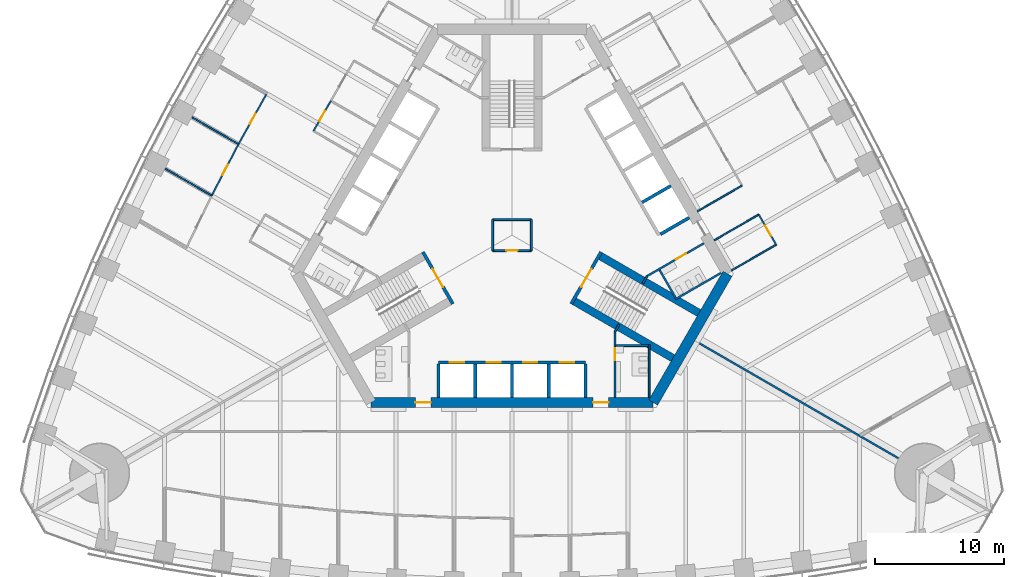
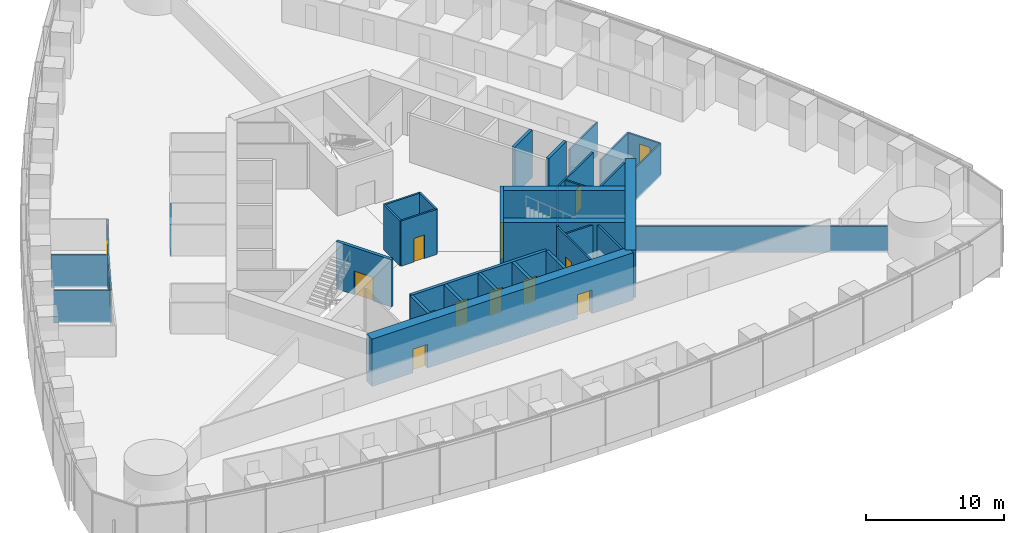
# One storey, part 11 of 18: 36 walls, 15 doors, 15 openings.
"""IFC4 building model written with IfcOpenShell, lengths in metres."""

from ifc_helpers import new_model, si_unit, direction, frame, frame_2d, origin, place, context, subcontext, project, spatial, rectangle, extrude, material, layer, layer_set, type_object, element, fill, save


model = new_model("IFC4")

# Units and contexts
model_context = context("Model", 3, precision=1e-05, world=origin(), true_north=direction((0.0, 1.0)))
body_context = subcontext(model_context, "Body", "Model", "MODEL_VIEW")
ifc_project = project(units=[si_unit("LENGTHUNIT", "METRE"), si_unit("AREAUNIT", "SQUARE_METRE"), si_unit("VOLUMEUNIT", "CUBIC_METRE"), si_unit("PLANEANGLEUNIT", "RADIAN"), si_unit("MASSUNIT", "GRAM", prefix="KILO")], contexts=[model_context])

# Site, building, storey
site_placement = place(None, origin())
site = spatial("IfcSite", under=ifc_project, at=site_placement, CompositionType="ELEMENT")
building_placement = place(site_placement, origin())
building = spatial("IfcBuilding", under=site, at=building_placement, Name="Trefoil Bronze Tower", CompositionType="ELEMENT")
storey_placement = place(building_placement, frame((0.0, 0.0, 33.300048828125)))
storey = spatial("IfcBuildingStorey", under=building, at=storey_placement, Name="L07", CompositionType="ELEMENT", Elevation=33.300048828125)

# Wall, openings, doors
ifc_material_1 = material(Name="Concrete B80", Category="concrete")
ifc_layer_1 = layer(ifc_material_1, 0.800048828125)
ifc_layer_set_1 = layer_set([ifc_layer_1], Name="Core wall 800")
wall_type_1 = type_object("IfcWallType", Name="Core wall 800", PredefinedType="SHEAR", material=ifc_layer_set_1)
wall_1_placement = place(storey_placement, frame((-10.9697265625, -13.0, 0.0), z_axis=(0.0, 0.0, 1.0), x_axis=(1.0, 0.0, 0.0)))
wall_1 = element("IfcWall", 1, at=wall_1_placement, inside=storey, type_object=wall_type_1, Name="Core long wall 1 L07", PredefinedType="SHEAR", context=body_context, shape_type="SweptSolid", body=[
    extrude(rectangle(XDim=21.939453125, YDim=0.800048828125, at=frame_2d((10.9697265625, 0.0))), origin(), (0.0, 0.0, 1.0), 4.199951171875),
])
opening_1_placement = place(wall_1_placement, frame((17.269775390625, 0.0, 0.0)))
opening_1 = element("IfcOpeningElement", 2, at=opening_1_placement, cuts=wall_1, Name="Opening D2", PredefinedType="OPENING", context=body_context, shape_type="SweptSolid", body=[
    extrude(rectangle(XDim=1.199951171875, YDim=2.10009765625, at=frame_2d((0.60009765625, 1.050048828125))), frame((0.0, 0.409912109375, 0.0), z_axis=(0.0, -1.0, 0.0), x_axis=(1.0, 0.0, 0.0)), (0.0, 0.0, 1.0), 0.820068359375),
])
opening_2_placement = place(wall_1_placement, frame((3.4697265625, 0.0, 0.0)))
opening_2 = element("IfcOpeningElement", 3, at=opening_2_placement, cuts=wall_1, Name="Opening D2", PredefinedType="OPENING", context=body_context, shape_type="SweptSolid", body=[
    extrude(rectangle(XDim=1.199951171875, YDim=2.10009765625, at=frame_2d((0.60009765625, 1.050048828125))), frame((0.0, 0.409912109375, 0.0), z_axis=(0.0, -1.0, 0.0), x_axis=(1.0, 0.0, 0.0)), (0.0, 0.0, 1.0), 0.820068359375),
])
ifc_material_2 = material(Name="Steel door", Category="steel")
door_type_1 = type_object("IfcDoorType", Name="Lobby door 1200", OperationType="SINGLE_SWING_RIGHT", PredefinedType="DOOR", material=ifc_material_2)
door_1_placement = place(opening_1_placement, origin())
door_1 = element("IfcDoor", 4, at=door_1_placement, inside=storey, type_object=door_type_1, Name="Lobby door F1+ L07", OperationType="SINGLE_SWING_RIGHT", OverallHeight=2.10009765625, OverallWidth=1.199951171875, PredefinedType="DOOR", context=body_context, shape_type="SweptSolid", body=[
    extrude(rectangle(XDim=1.199951171875, YDim=2.10009765625, at=frame_2d((0.60009765625, 1.050048828125))), frame((0.0, 0.02490234375, 0.0), z_axis=(0.0, -1.0, 0.0), x_axis=(1.0, 0.0, 0.0)), (0.0, 0.0, 1.0), 0.050048828125),
])
fill(opening_1, door_1)
door_2_placement = place(opening_2_placement, origin())
door_2 = element("IfcDoor", 5, at=door_2_placement, inside=storey, type_object=door_type_1, Name="Lobby door F1- L07", OperationType="SINGLE_SWING_LEFT", OverallHeight=2.10009765625, OverallWidth=1.199951171875, PredefinedType="DOOR", context=body_context, shape_type="SweptSolid", body=[
    extrude(rectangle(XDim=1.199951171875, YDim=2.10009765625, at=frame_2d((0.60009765625, 1.050048828125))), frame((0.0, 0.02490234375, 0.0), z_axis=(0.0, -1.0, 0.0), x_axis=(1.0, 0.0, 0.0)), (0.0, 0.0, 1.0), 0.050048828125),
])
fill(opening_2, door_2)

# Wall
wall_2_placement = place(storey_placement, frame((10.9697265625, -13.0, 0.0), z_axis=(0.0, 0.0, 1.0), x_axis=(0.499995765644, 0.866027848477, 0.0)))
element("IfcWall", 6, at=wall_2_placement, inside=storey, type_object=wall_type_1, Name="Core short wall 1 L07", PredefinedType="SHEAR", context=body_context, shape_type="SweptSolid", body=[
    extrude(rectangle(XDim=11.546875, YDim=0.800048828125, at=frame_2d((5.7734375, 0.0))), origin(), (0.0, 0.0, 1.0), 4.199951171875),
])

# Wall, opening, door
ifc_material_3 = material(Name="Glazed partition", Category="glass")
ifc_layer_2 = layer(ifc_material_3, 0.1201171875)
ifc_layer_set_2 = layer_set([ifc_layer_2], Name="Glazed partition 120")
wall_type_2 = type_object("IfcWallType", Name="Glazed partition 120", PredefinedType="PARTITIONING", material=ifc_layer_set_2)
wall_3_placement = place(storey_placement, frame((20.518798828125, -0.73974609375, 0.0), z_axis=(0.0, 0.0, 1.0), x_axis=(-0.4999416173, 0.866059108428, 0.0)))
wall_3 = element("IfcWall", 7, at=wall_3_placement, inside=storey, type_object=wall_type_2, Name="Partition F2 L07", PredefinedType="PARTITIONING", context=body_context, shape_type="SweptSolid", body=[
    extrude(rectangle(XDim=2.699951171875, YDim=0.1201171875, at=frame_2d((1.35009765625, 0.0))), origin(), (0.0, 0.0, 1.0), 2.89990234375),
])
opening_3_placement = place(wall_3_placement, frame((0.800048828125, 0.0, 0.14990234375)))
opening_3 = element("IfcOpeningElement", 8, at=opening_3_placement, cuts=wall_3, Name="Opening D8", PredefinedType="OPENING", context=body_context, shape_type="SweptSolid", body=[
    extrude(rectangle(XDim=0.89990234375, YDim=2.10009765625, at=frame_2d((0.449951171875, 1.050048828125))), frame((0.0, 0.070068359375, 0.0), z_axis=(0.0, -1.0, 0.0), x_axis=(1.0, 0.0, 0.0)), (0.0, 0.0, 1.0), 0.14013671875),
])
ifc_material_4 = material(Name="Timber door", Category="wood")
door_type_2 = type_object("IfcDoorType", Name="Office door 900", OperationType="SINGLE_SWING_LEFT", PredefinedType="DOOR", material=ifc_material_4)
door_3_placement = place(opening_3_placement, origin())
door_3 = element("IfcDoor", 9, at=door_3_placement, inside=storey, type_object=door_type_2, Name="Pantry door F2 L07", OperationType="SINGLE_SWING_LEFT", OverallHeight=2.10009765625, OverallWidth=0.89990234375, PredefinedType="DOOR", context=body_context, shape_type="SweptSolid", body=[
    extrude(rectangle(XDim=0.89990234375, YDim=2.10009765625, at=frame_2d((0.449951171875, 1.050048828125))), frame((0.0, 0.02490234375, 0.0), z_axis=(0.0, -1.0, 0.0), x_axis=(1.0, 0.0, 0.0)), (0.0, 0.0, 1.0), 0.050048828125),
])
fill(opening_3, door_3)

# Walls
for number, where, z_axis, x_axis, name in (
    (10, (17.0546875, -2.73974609375, 0.0), (0.0, 0.0, 1.0), (0.866026010844, 0.49999894854, 0.0), "Partition F2 L07"),
    (11, (14.40478515625, 1.850341796875, 0.0), (0.0, 0.0, 1.0), (0.866026010844, 0.49999894854, 0.0), "Partition F2 L07"),
    (12, (15.704833984375, -0.4013671875, 0.0), (0.0, 0.0, 1.0), (0.866026010844, 0.49999894854, 0.0), "Partition F2 L07"),
):
    element("IfcWall", number, at=place(storey_placement, frame(where, z_axis=z_axis, x_axis=x_axis)), inside=storey, type_object=wall_type_2, Name=name, PredefinedType="PARTITIONING", context=body_context, shape_type="SweptSolid", body=[
        extrude(rectangle(XDim=4.0, YDim=0.1201171875, at=frame_2d((2.0, 0.0))), origin(), (0.0, 0.0, 1.0), 2.89990234375),
    ])

# Wall, opening, door
wall_4_placement = place(storey_placement, frame((-14.06884765625, 10.43212890625, 0.0), z_axis=(0.0, 0.0, 1.0), x_axis=(-0.50000943426, -0.866019956843, 0.0)))
wall_4 = element("IfcWall", 13, at=wall_4_placement, inside=storey, type_object=wall_type_2, Name="Partition F3 L07", PredefinedType="PARTITIONING", context=body_context, shape_type="SweptSolid", body=[
    extrude(rectangle(XDim=2.7001953125, YDim=0.1201171875, at=frame_2d((1.35009765625, 0.0))), origin(), (0.0, 0.0, 1.0), 2.89990234375),
])
opening_4_placement = place(wall_4_placement, frame((0.89990234375, 0.0, 0.14990234375)))
opening_4 = element("IfcOpeningElement", 14, at=opening_4_placement, cuts=wall_4, Name="Opening D8", PredefinedType="OPENING", context=body_context, shape_type="SweptSolid", body=[
    extrude(rectangle(XDim=0.89990234375, YDim=2.10009765625, at=frame_2d((0.449951171875, 1.050048828125))), frame((0.0, 0.070068359375, 0.0), z_axis=(0.0, -1.0, 0.0), x_axis=(1.0, 0.0, 0.0)), (0.0, 0.0, 1.0), 0.14013671875),
])
door_4_placement = place(opening_4_placement, origin())
door_4 = element("IfcDoor", 15, at=door_4_placement, inside=storey, type_object=door_type_2, Name="Pantry door F3 L07", OperationType="SINGLE_SWING_LEFT", OverallHeight=2.10009765625, OverallWidth=0.89990234375, PredefinedType="DOOR", context=body_context, shape_type="SweptSolid", body=[
    extrude(rectangle(XDim=0.89990234375, YDim=2.10009765625, at=frame_2d((0.449951171875, 1.050048828125))), frame((0.0, 0.02490234375, 0.0), z_axis=(0.0, -1.0, 0.0), x_axis=(1.0, 0.0, 0.0)), (0.0, 0.0, 1.0), 0.050048828125),
])
fill(opening_4, door_4)

wall_5_placement = place(storey_placement, frame((-19.051513671875, 10.999267578125, 0.0), z_axis=(0.0, 0.0, 1.0), x_axis=(-0.487373854787, -0.873193406795, 0.0)))
wall_5 = element("IfcWall", 16, at=wall_5_placement, inside=storey, type_object=wall_type_2, Name="Partition F3 L07", PredefinedType="PARTITIONING", context=body_context, shape_type="SweptSolid", body=[
    extrude(rectangle(XDim=4.500244140625, YDim=0.1201171875, at=frame_2d((2.25, 0.0))), origin(), (0.0, 0.0, 1.0), 2.89990234375),
])
opening_5_placement = place(wall_5_placement, frame((1.800048828125, 0.0, 0.14990234375)))
opening_5 = element("IfcOpeningElement", 17, at=opening_5_placement, cuts=wall_5, Name="Opening D8", PredefinedType="OPENING", context=body_context, shape_type="SweptSolid", body=[
    extrude(rectangle(XDim=0.89990234375, YDim=2.10009765625, at=frame_2d((0.449951171875, 1.050048828125))), frame((0.0, 0.070068359375, 0.0), z_axis=(0.0, -1.0, 0.0), x_axis=(1.0, 0.0, 0.0)), (0.0, 0.0, 1.0), 0.14013671875),
])
door_5_placement = place(opening_5_placement, frame((0.89990234375, 0.0, 0.0), z_axis=(0.0, 0.0, 1.0), x_axis=(-1.0, 0.0, 0.0)))
door_5 = element("IfcDoor", 18, at=door_5_placement, inside=storey, type_object=door_type_2, Name="Office door F3 L07", OperationType="SINGLE_SWING_RIGHT", OverallHeight=2.10009765625, OverallWidth=0.89990234375, PredefinedType="DOOR", context=body_context, shape_type="SweptSolid", body=[
    extrude(rectangle(XDim=0.89990234375, YDim=2.10009765625, at=frame_2d((0.449951171875, 1.050048828125))), frame((0.0, 0.02490234375, 0.0), z_axis=(0.0, -1.0, 0.0), x_axis=(1.0, 0.0, 0.0)), (0.0, 0.0, 1.0), 0.050048828125),
])
fill(opening_5, door_5)

wall_6_placement = place(storey_placement, frame((-21.244873046875, 7.069580078125, 0.0), z_axis=(0.0, 0.0, 1.0), x_axis=(-0.461852697957, -0.886956642339, 0.0)))
wall_6 = element("IfcWall", 19, at=wall_6_placement, inside=storey, type_object=wall_type_2, Name="Partition F3 L07", PredefinedType="PARTITIONING", context=body_context, shape_type="SweptSolid", body=[
    extrude(rectangle(XDim=4.50439453125, YDim=0.1201171875, at=frame_2d((2.252197265625, 0.0))), origin(), (0.0, 0.0, 1.0), 2.89990234375),
])
opening_6_placement = place(wall_6_placement, frame((1.800048828125, 0.0, 0.14990234375)))
opening_6 = element("IfcOpeningElement", 20, at=opening_6_placement, cuts=wall_6, Name="Opening D8", PredefinedType="OPENING", context=body_context, shape_type="SweptSolid", body=[
    extrude(rectangle(XDim=0.89990234375, YDim=2.10009765625, at=frame_2d((0.449951171875, 1.050048828125))), frame((0.0, 0.070068359375, 0.0), z_axis=(0.0, -1.0, 0.0), x_axis=(1.0, 0.0, 0.0)), (0.0, 0.0, 1.0), 0.14013671875),
])
door_6_placement = place(opening_6_placement, frame((0.89990234375, 0.0, 0.0), z_axis=(0.0, 0.0, 1.0), x_axis=(-1.0, 0.0, 0.0)))
door_6 = element("IfcDoor", 21, at=door_6_placement, inside=storey, type_object=door_type_2, Name="Office door F3 L07", OperationType="SINGLE_SWING_RIGHT", OverallHeight=2.10009765625, OverallWidth=0.89990234375, PredefinedType="DOOR", context=body_context, shape_type="SweptSolid", body=[
    extrude(rectangle(XDim=0.89990234375, YDim=2.10009765625, at=frame_2d((0.449951171875, 1.050048828125))), frame((0.0, 0.02490234375, 0.0), z_axis=(0.0, -1.0, 0.0), x_axis=(1.0, 0.0, 0.0)), (0.0, 0.0, 1.0), 0.050048828125),
])
fill(opening_6, door_6)

# Walls
wall_7_placement = place(storey_placement, frame((-21.244873046875, 7.069580078125, 0.0), z_axis=(0.0, 0.0, 1.0), x_axis=(-0.866025669538, 0.499999539701, 0.0)))
element("IfcWall", 22, at=wall_7_placement, inside=storey, type_object=wall_type_2, Name="Partition F3 L07", PredefinedType="PARTITIONING", context=body_context, shape_type="SweptSolid", body=[
    extrude(rectangle(XDim=4.16943359375, YDim=0.1201171875, at=frame_2d((2.084716796875, 0.0))), origin(), (0.0, 0.0, 1.0), 2.89990234375),
])
wall_8_placement = place(storey_placement, frame((-23.3251953125, 3.074462890625, 0.0), z_axis=(0.0, 0.0, 1.0), x_axis=(-0.866009971343, 0.50002672882, 0.0)))
element("IfcWall", 23, at=wall_8_placement, inside=storey, type_object=wall_type_2, Name="Partition F3 L07", PredefinedType="PARTITIONING", context=body_context, shape_type="SweptSolid", body=[
    extrude(rectangle(XDim=4.167236328125, YDim=0.1201171875, at=frame_2d((2.08349609375, 0.0))), origin(), (0.0, 0.0, 1.0), 2.89990234375),
])

# Wall, opening, door
ifc_material_5 = material(Name="Gypsum board on steel studs", Category="steel")
ifc_layer_3 = layer(ifc_material_5, 0.14990234375)
ifc_layer_set_3 = layer_set([ifc_layer_3], Name="Partition 150")
wall_type_3 = type_object("IfcWallType", Name="Partition 150", PredefinedType="PARTITIONING", material=ifc_layer_set_3)
wall_9_placement = place(storey_placement, frame((8.0, -7.5, 0.0), z_axis=(0.0, 0.0, 1.0), x_axis=(0.0, -1.0, 0.0)))
wall_9 = element("IfcWall", 24, at=wall_9_placement, inside=storey, type_object=wall_type_3, Name="Passage wall F1+ L07", PredefinedType="PARTITIONING", context=body_context, shape_type="SweptSolid", body=[
    extrude(rectangle(XDim=5.10009765625, YDim=0.14990234375, at=frame_2d((2.550048828125, 0.0))), origin(), (0.0, 0.0, 1.0), 4.0),
])
opening_7_placement = place(wall_9_placement, frame((1.300048828125, 0.0, 0.0)))
opening_7 = element("IfcOpeningElement", 25, at=opening_7_placement, cuts=wall_9, Name="Opening D3", PredefinedType="OPENING", context=body_context, shape_type="SweptSolid", body=[
    extrude(rectangle(XDim=0.89990234375, YDim=2.10009765625, at=frame_2d((0.449951171875, 1.050048828125))), frame((0.0, 0.0849609375, 0.0), z_axis=(0.0, -1.0, 0.0), x_axis=(1.0, 0.0, 0.0)), (0.0, 0.0, 1.0), 0.169921875),
])
ifc_material_6 = material(Name="Timber door", Category="wood")
door_type_3 = type_object("IfcDoorType", Name="WC door 900", OperationType="SINGLE_SWING_LEFT", PredefinedType="DOOR", material=ifc_material_6)
door_7_placement = place(opening_7_placement, origin())
door_7 = element("IfcDoor", 26, at=door_7_placement, inside=storey, type_object=door_type_3, Name="WC (men) door L07", OperationType="SINGLE_SWING_LEFT", OverallHeight=2.10009765625, OverallWidth=0.89990234375, PredefinedType="DOOR", context=body_context, shape_type="SweptSolid", body=[
    extrude(rectangle(XDim=0.89990234375, YDim=2.10009765625, at=frame_2d((0.449951171875, 1.050048828125))), frame((0.0, 0.02490234375, 0.0), z_axis=(0.0, -1.0, 0.0), x_axis=(1.0, 0.0, 0.0)), (0.0, 0.0, 1.0), 0.050048828125),
])
fill(opening_7, door_7)

wall_10_placement = place(storey_placement, frame((10.4951171875, -3.17822265625, 0.0), z_axis=(0.0, 0.0, 1.0), x_axis=(0.86602216432, 0.500005610874, 0.0)))
wall_10 = element("IfcWall", 27, at=wall_10_placement, inside=storey, type_object=wall_type_3, Name="Passage wall F2- L07", PredefinedType="PARTITIONING", context=body_context, shape_type="SweptSolid", body=[
    extrude(rectangle(XDim=5.10009765625, YDim=0.14990234375, at=frame_2d((2.550048828125, 0.0))), origin(), (0.0, 0.0, 1.0), 4.0),
])
opening_8_placement = place(wall_10_placement, frame((2.60009765625, 0.0, 0.0)))
opening_8 = element("IfcOpeningElement", 28, at=opening_8_placement, cuts=wall_10, Name="Opening D3", PredefinedType="OPENING", context=body_context, shape_type="SweptSolid", body=[
    extrude(rectangle(XDim=0.89990234375, YDim=2.10009765625, at=frame_2d((0.449951171875, 1.050048828125))), frame((0.0, 0.0849609375, 0.0), z_axis=(0.0, -1.0, 0.0), x_axis=(1.0, 0.0, 0.0)), (0.0, 0.0, 1.0), 0.169921875),
])
door_8_placement = place(opening_8_placement, frame((0.89990234375, 0.0, 0.0), z_axis=(0.0, 0.0, 1.0), x_axis=(-1.0, 0.0, 0.0)))
door_8 = element("IfcDoor", 29, at=door_8_placement, inside=storey, type_object=door_type_3, Name="WC (women) door L07", OperationType="SINGLE_SWING_RIGHT", OverallHeight=2.10009765625, OverallWidth=0.89990234375, PredefinedType="DOOR", context=body_context, shape_type="SweptSolid", body=[
    extrude(rectangle(XDim=0.89990234375, YDim=2.10009765625, at=frame_2d((0.449951171875, 1.050048828125))), frame((0.0, 0.02490234375, 0.0), z_axis=(0.0, -1.0, 0.0), x_axis=(1.0, 0.0, 0.0)), (0.0, 0.0, 1.0), 0.050048828125),
])
fill(opening_8, door_8)

# Walls
for number, where, z_axis, x_axis, name in (
    (30, (8.0, -7.5, 0.0), (0.0, 0.0, 1.0), (0.499842556608, 0.866116284689, 0.0), "WC wall ST1-1 L07"),
    (31, (10.4951171875, -3.17822265625, 0.0), (0.0, 0.0, 1.0), (-0.499842556608, -0.866116284689, 0.0), "WC wall ST1+1 L07"),
):
    element("IfcWall", number, at=place(storey_placement, frame(where, z_axis=z_axis, x_axis=x_axis)), inside=storey, type_object=wall_type_3, Name=name, PredefinedType="PARTITIONING", context=body_context, shape_type="SweptSolid", body=[
        extrude(rectangle(XDim=0.645263671875, YDim=0.14990234375, at=frame_2d((0.32275390625, 0.0))), origin(), (0.0, 0.0, 1.0), 4.0),
    ])
wall_11_placement = place(storey_placement, frame((10.659912109375, -8.5, 0.0), z_axis=(0.0, 0.0, 1.0), x_axis=(0.0, -1.0, 0.0)))
element("IfcWall", 32, at=wall_11_placement, inside=storey, type_object=wall_type_3, Name="WC partition WC (men) L07", PredefinedType="PARTITIONING", context=body_context, shape_type="SweptSolid", body=[
    extrude(rectangle(XDim=4.10009765625, YDim=0.14990234375, at=frame_2d((2.050048828125, 0.0))), origin(), (0.0, 0.0, 1.0), 4.0),
])
wall_12_placement = place(storey_placement, frame((8.074951171875, -8.574951171875, 0.0), z_axis=(0.0, 0.0, 1.0), x_axis=(1.0, 0.0, 0.0)))
element("IfcWall", 33, at=wall_12_placement, inside=storey, type_object=wall_type_3, Name="WC partition WC (men) L07", PredefinedType="PARTITIONING", context=body_context, shape_type="SweptSolid", body=[
    extrude(rectangle(XDim=2.510009765625, YDim=0.14990234375, at=frame_2d((1.2548828125, 0.0))), origin(), (0.0, 0.0, 1.0), 4.0),
])
wall_13_placement = place(storey_placement, frame((12.691162109375, -4.98193359375, 0.0), z_axis=(0.0, 0.0, 1.0), x_axis=(0.8660249478, 0.500000789788, 0.0)))
element("IfcWall", 34, at=wall_13_placement, inside=storey, type_object=wall_type_3, Name="WC partition WC (women) L07", PredefinedType="PARTITIONING", context=body_context, shape_type="SweptSolid", body=[
    extrude(rectangle(XDim=4.10009765625, YDim=0.14990234375, at=frame_2d((2.050048828125, 0.0))), origin(), (0.0, 0.0, 1.0), 4.0),
])
wall_14_placement = place(storey_placement, frame((11.463623046875, -2.70556640625, 0.0), z_axis=(0.0, 0.0, 1.0), x_axis=(0.50001992892, -0.866013897511, 0.0)))
element("IfcWall", 35, at=wall_14_placement, inside=storey, type_object=wall_type_3, Name="WC partition WC (women) L07", PredefinedType="PARTITIONING", context=body_context, shape_type="SweptSolid", body=[
    extrude(rectangle(XDim=2.51025390625, YDim=0.14990234375, at=frame_2d((1.255126953125, 0.0))), origin(), (0.0, 0.0, 1.0), 4.0),
])
ifc_material_7 = material(Name="Gypsum board on steel studs", Category="steel")
ifc_layer_4 = layer(ifc_material_7, 0.14990234375)
ifc_layer_set_4 = layer_set([ifc_layer_4], Name="Party wall 150")
wall_type_4 = type_object("IfcWallType", Name="Party wall 150", PredefinedType="PARTITIONING", material=ifc_layer_set_4)
wall_15_placement = place(storey_placement, frame((14.202880859375, -8.199951171875, 0.0), z_axis=(0.0, 0.0, 1.0), x_axis=(0.866024965723, -0.500000758745, 0.0)))
element("IfcWall", 36, at=wall_15_placement, inside=storey, type_object=wall_type_4, Name="Party wall K1 L07", PredefinedType="PARTITIONING", context=body_context, shape_type="SweptSolid", body=[
    extrude(rectangle(XDim=18.25, YDim=0.14990234375, at=frame_2d((9.125, 0.0))), origin(), (0.0, 0.0, 1.0), 2.300048828125),
])

# Wall, opening, door
ifc_material_8 = material(Name="Gypsum board on steel studs", Category="steel")
ifc_layer_5 = layer(ifc_material_8, 0.14990234375)
ifc_layer_set_5 = layer_set([ifc_layer_5], Name="Riser wall 150")
wall_type_5 = type_object("IfcWallType", Name="Riser wall 150", PredefinedType="PARTITIONING", material=ifc_layer_set_5)
wall_16_placement = place(storey_placement, frame((-1.5, -1.199951171875, 0.0), z_axis=(0.0, 0.0, 1.0), x_axis=(1.0, 0.0, 0.0)))
wall_16 = element("IfcWall", 37, at=wall_16_placement, inside=storey, type_object=wall_type_5, Name="Riser wall L07", PredefinedType="PARTITIONING", context=body_context, shape_type="SweptSolid", body=[
    extrude(rectangle(XDim=3.0, YDim=0.14990234375, at=frame_2d((1.5, 0.0))), origin(), (0.0, 0.0, 1.0), 4.0),
])
opening_9_placement = place(wall_16_placement, frame((1.050048828125, 0.0, 0.0)))
opening_9 = element("IfcOpeningElement", 38, at=opening_9_placement, cuts=wall_16, Name="Opening D4", PredefinedType="OPENING", context=body_context, shape_type="SweptSolid", body=[
    extrude(rectangle(XDim=0.89990234375, YDim=2.10009765625, at=frame_2d((0.449951171875, 1.050048828125))), frame((0.0, 0.0849609375, 0.0), z_axis=(0.0, -1.0, 0.0), x_axis=(1.0, 0.0, 0.0)), (0.0, 0.0, 1.0), 0.169921875),
])
ifc_material_9 = material(Name="Steel door", Category="steel")
door_type_4 = type_object("IfcDoorType", Name="Riser door 900", OperationType="SINGLE_SWING_LEFT", PredefinedType="DOOR", material=ifc_material_9)
door_9_placement = place(opening_9_placement, frame((0.89990234375, 0.0, 0.0), z_axis=(0.0, 0.0, 1.0), x_axis=(-1.0, 0.0, 0.0)))
door_9 = element("IfcDoor", 39, at=door_9_placement, inside=storey, type_object=door_type_4, Name="Riser door L07", OperationType="SINGLE_SWING_LEFT", OverallHeight=2.10009765625, OverallWidth=0.89990234375, PredefinedType="DOOR", context=body_context, shape_type="SweptSolid", body=[
    extrude(rectangle(XDim=0.89990234375, YDim=2.10009765625, at=frame_2d((0.449951171875, 1.050048828125))), frame((0.0, 0.02490234375, 0.0), z_axis=(0.0, -1.0, 0.0), x_axis=(1.0, 0.0, 0.0)), (0.0, 0.0, 1.0), 0.050048828125),
])
fill(opening_9, door_9)

# Walls
wall_17_placement = place(storey_placement, frame((1.5, -1.199951171875, 0.0), z_axis=(0.0, 0.0, 1.0), x_axis=(0.0, 1.0, 0.0)))
element("IfcWall", 40, at=wall_17_placement, inside=storey, type_object=wall_type_5, Name="Riser wall L07", PredefinedType="PARTITIONING", context=body_context, shape_type="SweptSolid", body=[
    extrude(rectangle(XDim=2.39990234375, YDim=0.14990234375, at=frame_2d((1.199951171875, 0.0))), origin(), (0.0, 0.0, 1.0), 4.0),
])
wall_18_placement = place(storey_placement, frame((1.5, 1.199951171875, 0.0), z_axis=(0.0, 0.0, 1.0), x_axis=(-1.0, 0.0, 0.0)))
element("IfcWall", 41, at=wall_18_placement, inside=storey, type_object=wall_type_5, Name="Riser wall L07", PredefinedType="PARTITIONING", context=body_context, shape_type="SweptSolid", body=[
    extrude(rectangle(XDim=3.0, YDim=0.14990234375, at=frame_2d((1.5, 0.0))), origin(), (0.0, 0.0, 1.0), 4.0),
])
wall_19_placement = place(storey_placement, frame((-1.5, 1.199951171875, 0.0), z_axis=(0.0, 0.0, 1.0), x_axis=(0.0, -1.0, 0.0)))
element("IfcWall", 42, at=wall_19_placement, inside=storey, type_object=wall_type_5, Name="Riser wall L07", PredefinedType="PARTITIONING", context=body_context, shape_type="SweptSolid", body=[
    extrude(rectangle(XDim=2.39990234375, YDim=0.14990234375, at=frame_2d((1.199951171875, 0.0))), origin(), (0.0, 0.0, 1.0), 4.0),
])

# Wall, openings, doors
ifc_material_10 = material(Name="Concrete B80", Category="concrete")
ifc_layer_6 = layer(ifc_material_10, 0.25)
ifc_layer_set_6 = layer_set([ifc_layer_6], Name="Shaft wall 250")
wall_type_6 = type_object("IfcWallType", Name="Shaft wall 250", PredefinedType="SHEAR", material=ifc_layer_set_6)
wall_20_placement = place(storey_placement, frame((-5.699951171875, -9.89990234375, 0.0), z_axis=(0.0, 0.0, 1.0), x_axis=(1.0, 0.0, 0.0)))
wall_20 = element("IfcWall", 43, at=wall_20_placement, inside=storey, type_object=wall_type_6, Name="Lift shaft front wall A L07", PredefinedType="SHEAR", context=body_context, shape_type="SweptSolid", body=[
    extrude(rectangle(XDim=11.39990234375, YDim=0.25, at=frame_2d((5.699951171875, 0.0))), origin(), (0.0, 0.0, 1.0), 4.199951171875),
])
opening_10_placement = place(wall_20_placement, frame((0.875, 0.0, 0.0)))
opening_10 = element("IfcOpeningElement", 44, at=opening_10_placement, cuts=wall_20, Name="Opening LD-P11", PredefinedType="OPENING", context=body_context, shape_type="SweptSolid", body=[
    extrude(rectangle(XDim=1.10009765625, YDim=2.199951171875, at=frame_2d((0.550048828125, 1.10009765625))), frame((0.0, 0.135009765625, 0.0), z_axis=(0.0, -1.0, 0.0), x_axis=(1.0, 0.0, 0.0)), (0.0, 0.0, 1.0), 0.27001953125),
])
opening_11_placement = place(wall_20_placement, frame((3.72509765625, 0.0, 0.0)))
opening_11 = element("IfcOpeningElement", 45, at=opening_11_placement, cuts=wall_20, Name="Opening LD-P12", PredefinedType="OPENING", context=body_context, shape_type="SweptSolid", body=[
    extrude(rectangle(XDim=1.10009765625, YDim=2.199951171875, at=frame_2d((0.550048828125, 1.10009765625))), frame((0.0, 0.135009765625, 0.0), z_axis=(0.0, -1.0, 0.0), x_axis=(1.0, 0.0, 0.0)), (0.0, 0.0, 1.0), 0.27001953125),
])
opening_12_placement = place(wall_20_placement, frame((6.574951171875, 0.0, 0.0)))
opening_12 = element("IfcOpeningElement", 46, at=opening_12_placement, cuts=wall_20, Name="Opening LD-P13", PredefinedType="OPENING", context=body_context, shape_type="SweptSolid", body=[
    extrude(rectangle(XDim=1.10009765625, YDim=2.199951171875, at=frame_2d((0.550048828125, 1.10009765625))), frame((0.0, 0.135009765625, 0.0), z_axis=(0.0, -1.0, 0.0), x_axis=(1.0, 0.0, 0.0)), (0.0, 0.0, 1.0), 0.27001953125),
])
opening_13_placement = place(wall_20_placement, frame((9.425048828125, 0.0, 0.0)))
opening_13 = element("IfcOpeningElement", 47, at=opening_13_placement, cuts=wall_20, Name="Opening LD-P14", PredefinedType="OPENING", context=body_context, shape_type="SweptSolid", body=[
    extrude(rectangle(XDim=1.10009765625, YDim=2.199951171875, at=frame_2d((0.550048828125, 1.10009765625))), frame((0.0, 0.135009765625, 0.0), z_axis=(0.0, -1.0, 0.0), x_axis=(1.0, 0.0, 0.0)), (0.0, 0.0, 1.0), 0.27001953125),
])
ifc_material_11 = material(Name="Steel door", Category="steel")
door_type_5 = type_object("IfcDoorType", Name="Lift landing door 1100", OperationType="DOUBLE_DOOR_SLIDING", PredefinedType="DOOR", material=ifc_material_11)
door_10_placement = place(opening_10_placement, origin())
door_10 = element("IfcDoor", 48, at=door_10_placement, inside=storey, type_object=door_type_5, Name="Lift P11 landing door L07", OperationType="DOUBLE_DOOR_SLIDING", OverallHeight=2.199951171875, OverallWidth=1.10009765625, PredefinedType="DOOR", context=body_context, shape_type="SweptSolid", body=[
    extrude(rectangle(XDim=1.10009765625, YDim=2.199951171875, at=frame_2d((0.550048828125, 1.10009765625))), frame((0.0, 0.02490234375, 0.0), z_axis=(0.0, -1.0, 0.0), x_axis=(1.0, 0.0, 0.0)), (0.0, 0.0, 1.0), 0.050048828125),
])
fill(opening_10, door_10)
door_11_placement = place(opening_11_placement, origin())
door_11 = element("IfcDoor", 49, at=door_11_placement, inside=storey, type_object=door_type_5, Name="Lift P12 landing door L07", OperationType="DOUBLE_DOOR_SLIDING", OverallHeight=2.199951171875, OverallWidth=1.10009765625, PredefinedType="DOOR", context=body_context, shape_type="SweptSolid", body=[
    extrude(rectangle(XDim=1.10009765625, YDim=2.199951171875, at=frame_2d((0.550048828125, 1.10009765625))), frame((0.0, 0.02490234375, 0.0), z_axis=(0.0, -1.0, 0.0), x_axis=(1.0, 0.0, 0.0)), (0.0, 0.0, 1.0), 0.050048828125),
])
fill(opening_11, door_11)
door_12_placement = place(opening_12_placement, origin())
door_12 = element("IfcDoor", 50, at=door_12_placement, inside=storey, type_object=door_type_5, Name="Lift P13 landing door L07", OperationType="DOUBLE_DOOR_SLIDING", OverallHeight=2.199951171875, OverallWidth=1.10009765625, PredefinedType="DOOR", context=body_context, shape_type="SweptSolid", body=[
    extrude(rectangle(XDim=1.10009765625, YDim=2.199951171875, at=frame_2d((0.550048828125, 1.10009765625))), frame((0.0, 0.02490234375, 0.0), z_axis=(0.0, -1.0, 0.0), x_axis=(1.0, 0.0, 0.0)), (0.0, 0.0, 1.0), 0.050048828125),
])
fill(opening_12, door_12)
door_13_placement = place(opening_13_placement, origin())
door_13 = element("IfcDoor", 51, at=door_13_placement, inside=storey, type_object=door_type_5, Name="Lift P14 landing door L07", OperationType="DOUBLE_DOOR_SLIDING", OverallHeight=2.199951171875, OverallWidth=1.10009765625, PredefinedType="DOOR", context=body_context, shape_type="SweptSolid", body=[
    extrude(rectangle(XDim=1.10009765625, YDim=2.199951171875, at=frame_2d((0.550048828125, 1.10009765625))), frame((0.0, 0.02490234375, 0.0), z_axis=(0.0, -1.0, 0.0), x_axis=(1.0, 0.0, 0.0)), (0.0, 0.0, 1.0), 0.050048828125),
])
fill(opening_13, door_13)

# Walls
for number, where, z_axis, x_axis, name in (
    (52, (-5.699951171875, -10.02490234375, 0.0), (0.0, 0.0, 1.0), (0.0, -1.0, 0.0), "Lift shaft side wall A0 L07"),
    (53, (-2.85009765625, -10.02490234375, 0.0), (0.0, 0.0, 1.0), (0.0, -1.0, 0.0), "Lift shaft side wall A1 L07"),
    (54, (0.0, -10.02490234375, 0.0), (0.0, 0.0, 1.0), (0.0, -1.0, 0.0), "Lift shaft side wall A2 L07"),
    (55, (2.85009765625, -10.02490234375, 0.0), (0.0, 0.0, 1.0), (0.0, -1.0, 0.0), "Lift shaft side wall A3 L07"),
    (56, (5.699951171875, -10.02490234375, 0.0), (0.0, 0.0, 1.0), (0.0, -1.0, 0.0), "Lift shaft side wall A4 L07"),
):
    element("IfcWall", number, at=place(storey_placement, frame(where, z_axis=z_axis, x_axis=x_axis)), inside=storey, type_object=wall_type_6, Name=name, PredefinedType="SHEAR", context=body_context, shape_type="SweptSolid", body=[
        extrude(rectangle(XDim=2.5751953125, YDim=0.25, at=frame_2d((1.28759765625, 0.0))), origin(), (0.0, 0.0, 1.0), 4.199951171875),
    ])
for number, where, z_axis, x_axis, name in (
    (57, (11.531982421875, 0.076171875, 0.0), (0.0, 0.0, 1.0), (0.866005588531, 0.500034319456, 0.0), "Lift shaft side wall B0 L07"),
    (58, (10.10693359375, 2.54443359375, 0.0), (0.0, 0.0, 1.0), (0.866046643894, 0.499963209246, 0.0), "Lift shaft side wall B1 L07"),
):
    element("IfcWall", number, at=place(storey_placement, frame(where, z_axis=z_axis, x_axis=x_axis)), inside=storey, type_object=wall_type_6, Name=name, PredefinedType="SHEAR", context=body_context, shape_type="SweptSolid", body=[
        extrude(rectangle(XDim=2.574951171875, YDim=0.25, at=frame_2d((1.28759765625, 0.0))), origin(), (0.0, 0.0, 1.0), 4.199951171875),
    ])

# Wall, opening, door
wall_21_placement = place(storey_placement, frame((4.5966796875, -5.338623046875, 0.0), z_axis=(0.0, 0.0, 1.0), x_axis=(0.499984536904, 0.866034331223, 0.0)))
wall_21 = element("IfcWall", 59, at=wall_21_placement, inside=storey, type_object=wall_type_6, Name="Stair end wall ST1 L07", PredefinedType="SHEAR", context=body_context, shape_type="SweptSolid", body=[
    extrude(rectangle(XDim=4.650146484375, YDim=0.25, at=frame_2d((2.3251953125, 0.0))), origin(), (0.0, 0.0, 1.0), 4.199951171875),
])
opening_14_placement = place(wall_21_placement, frame((1.52490234375, 0.0, 0.0)))
opening_14 = element("IfcOpeningElement", 60, at=opening_14_placement, cuts=wall_21, Name="Opening D1", PredefinedType="OPENING", context=body_context, shape_type="SweptSolid", body=[
    extrude(rectangle(XDim=1.60009765625, YDim=2.10009765625, at=frame_2d((0.800048828125, 1.050048828125))), frame((0.0, 0.135009765625, 0.0), z_axis=(0.0, -1.0, 0.0), x_axis=(1.0, 0.0, 0.0)), (0.0, 0.0, 1.0), 0.27001953125),
])
ifc_material_12 = material(Name="Steel door", Category="steel")
door_type_6 = type_object("IfcDoorType", Name="Stair door 1600", OperationType="DOUBLE_DOOR_SINGLE_SWING", PredefinedType="DOOR", material=ifc_material_12)
door_14_placement = place(opening_14_placement, frame((1.60009765625, 0.0, 0.0), z_axis=(0.0, 0.0, 1.0), x_axis=(-1.0, 0.0, 0.0)))
door_14 = element("IfcDoor", 61, at=door_14_placement, inside=storey, type_object=door_type_6, Name="Stair door ST1 L07", OperationType="DOUBLE_DOOR_SINGLE_SWING", OverallHeight=2.10009765625, OverallWidth=1.60009765625, PredefinedType="DOOR", context=body_context, shape_type="SweptSolid", body=[
    extrude(rectangle(XDim=1.60009765625, YDim=2.10009765625, at=frame_2d((0.800048828125, 1.050048828125))), frame((0.0, 0.02490234375, 0.0), z_axis=(0.0, -1.0, 0.0), x_axis=(1.0, 0.0, 0.0)), (0.0, 0.0, 1.0), 0.050048828125),
])
fill(opening_14, door_14)

wall_22_placement = place(storey_placement, frame((-6.921630859375, -1.3115234375, 0.0), z_axis=(0.0, 0.0, 1.0), x_axis=(0.499984536904, -0.866034331223, 0.0)))
wall_22 = element("IfcWall", 62, at=wall_22_placement, inside=storey, type_object=wall_type_6, Name="Stair end wall ST3 L07", PredefinedType="SHEAR", context=body_context, shape_type="SweptSolid", body=[
    extrude(rectangle(XDim=4.650146484375, YDim=0.25, at=frame_2d((2.3251953125, 0.0))), origin(), (0.0, 0.0, 1.0), 4.199951171875),
])
opening_15_placement = place(wall_22_placement, frame((1.52490234375, 0.0, 0.0)))
opening_15 = element("IfcOpeningElement", 63, at=opening_15_placement, cuts=wall_22, Name="Opening D1", PredefinedType="OPENING", context=body_context, shape_type="SweptSolid", body=[
    extrude(rectangle(XDim=1.60009765625, YDim=2.10009765625, at=frame_2d((0.800048828125, 1.050048828125))), frame((0.0, 0.135009765625, 0.0), z_axis=(0.0, -1.0, 0.0), x_axis=(1.0, 0.0, 0.0)), (0.0, 0.0, 1.0), 0.27001953125),
])
door_15_placement = place(opening_15_placement, frame((1.60009765625, 0.0, 0.0), z_axis=(0.0, 0.0, 1.0), x_axis=(-1.0, 0.0, 0.0)))
door_15 = element("IfcDoor", 64, at=door_15_placement, inside=storey, type_object=door_type_6, Name="Stair door ST3 L07", OperationType="DOUBLE_DOOR_SINGLE_SWING", OverallHeight=2.10009765625, OverallWidth=1.60009765625, PredefinedType="DOOR", context=body_context, shape_type="SweptSolid", body=[
    extrude(rectangle(XDim=1.60009765625, YDim=2.10009765625, at=frame_2d((0.800048828125, 1.050048828125))), frame((0.0, 0.02490234375, 0.0), z_axis=(0.0, -1.0, 0.0), x_axis=(1.0, 0.0, 0.0)), (0.0, 0.0, 1.0), 0.050048828125),
])
fill(opening_15, door_15)

# Walls
ifc_material_13 = material(Name="Concrete B80", Category="concrete")
ifc_layer_7 = layer(ifc_material_13, 0.60009765625)
ifc_layer_set_7 = layer_set([ifc_layer_7], Name="Stair wall 600")
wall_type_7 = type_object("IfcWallType", Name="Stair wall 600", PredefinedType="SHEAR", material=ifc_layer_set_7)
for number, where, z_axis, x_axis, name in (
    (65, (4.638427734375, -5.01611328125, 0.0), (0.0, 0.0, 1.0), (0.866019375473, -0.500010441196, 0.0), "Stair wall ST1 L07"),
    (66, (6.663330078125, -1.5087890625, 0.0), (0.0, 0.0, 1.0), (0.866019375473, -0.500010441196, 0.0), "Stair wall ST1 L07"),
):
    element("IfcWall", number, at=place(storey_placement, frame(where, z_axis=z_axis, x_axis=x_axis)), inside=storey, type_object=wall_type_7, Name=name, PredefinedType="SHEAR", context=body_context, shape_type="SweptSolid", body=[
        extrude(rectangle(XDim=9.074951171875, YDim=0.60009765625, at=frame_2d((4.53759765625, 0.0))), origin(), (0.0, 0.0, 1.0), 4.199951171875),
    ])

save(model, "model.ifc")
